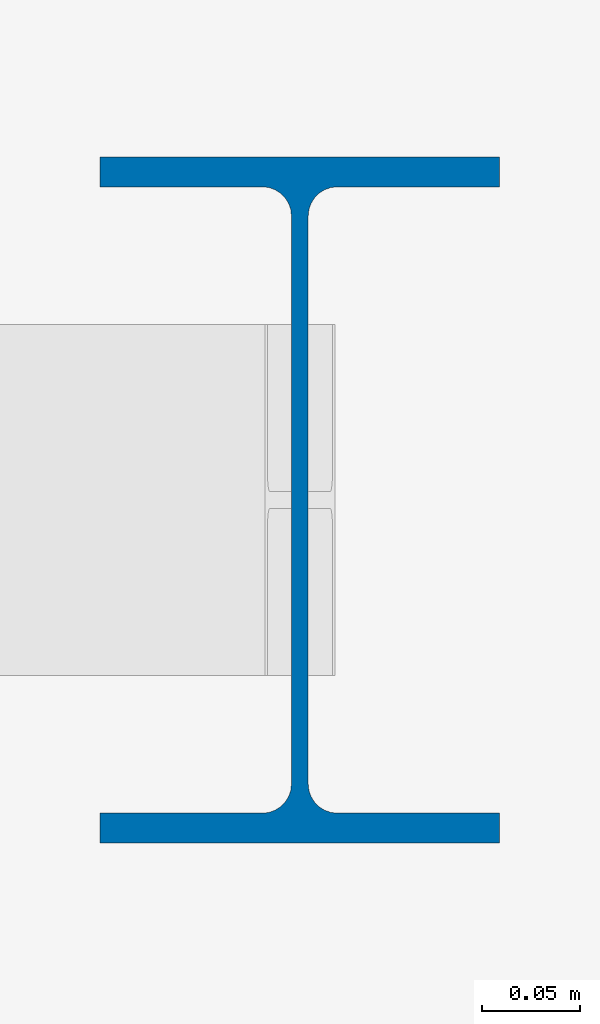
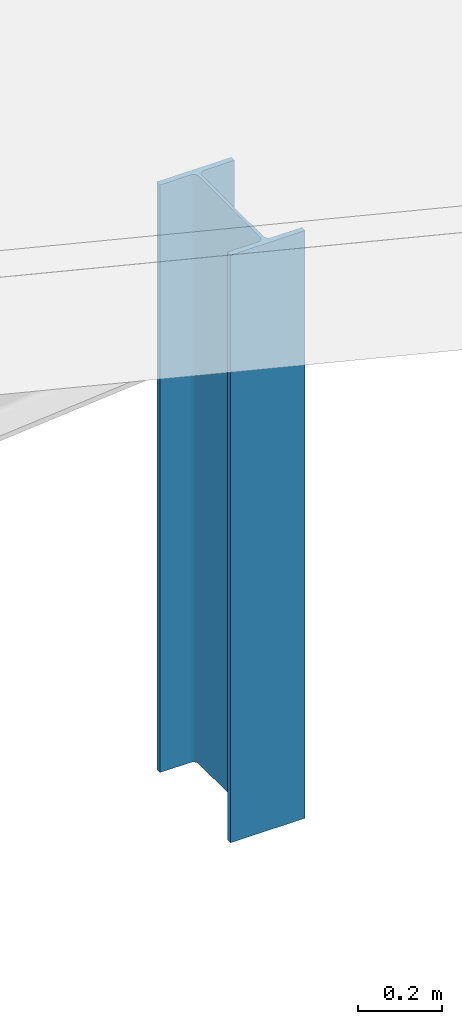
# One storey, part 4 of 18: 1 column.
"""IFC4 building model written with IfcOpenShell, lengths in metres."""

from ifc_helpers import new_model, si_unit, direction, frame, origin, origin_2d, place, context, subcontext, project, spatial, i_section, extrude, material, material_profile, profile_set, type_object, element, save


model = new_model("IFC4")

# Units and contexts
model_context = context("Model", 3, precision=1e-05, world=origin(), true_north=direction((0.0, 1.0)))
body_context = subcontext(model_context, "Body", "Model", "MODEL_VIEW")
ifc_project = project(units=[si_unit("LENGTHUNIT", "METRE"), si_unit("AREAUNIT", "SQUARE_METRE"), si_unit("VOLUMEUNIT", "CUBIC_METRE"), si_unit("PLANEANGLEUNIT", "RADIAN"), si_unit("MASSUNIT", "GRAM", prefix="KILO")], contexts=[model_context])

# Site, building, storey
site_placement = place(None, origin())
site = spatial("IfcSite", under=ifc_project, at=site_placement, CompositionType="ELEMENT")
building_placement = place(site_placement, origin())
building = spatial("IfcBuilding", under=site, at=building_placement, Name="Kalmorath City Hall", CompositionType="ELEMENT")
storey_placement = place(building_placement, frame((0.0, 0.0, 27.0)))
storey = spatial("IfcBuildingStorey", under=building, at=storey_placement, Name="L06", CompositionType="ELEMENT", Elevation=27.0)

# Column
ifc_material = material(Name="Steel ASTM A992 Grade 50", Category="steel")
ifc_material_profile = material_profile(ifc_material, i_section(OverallWidth=0.2041015625, OverallDepth=0.35009765625, WebThickness=0.008544921875, FlangeThickness=0.01513671875, FilletRadius=0.014892578125, at=origin_2d()), Name="W14X48")
ifc_profile_set = profile_set([ifc_material_profile], Name="Steel ASTM A992 Grade 50")
column_type = type_object("IfcColumnType", Name="Steel wide-flange column W14X48", PredefinedType="COLUMN", material=ifc_profile_set)
column_placement = place(storey_placement, frame((21.60009765625, 86.39990234375, 0.0), z_axis=(0.0, 0.0, 1.0), x_axis=(1.0, 0.0, 0.0)))
element("IfcColumn", 1, at=column_placement, inside=storey, type_object=column_type, Name="L06 roof ridge post SC6-4", PredefinedType="COLUMN", context=body_context, shape_type="SweptSolid", body=[
    extrude(i_section(OverallWidth=0.2041015625, OverallDepth=0.35009765625, WebThickness=0.008544921875, FlangeThickness=0.01513671875, FilletRadius=0.014892578125, at=origin_2d()), origin(), (0.0, 0.0, 1.0), 1.699951171875),
])

save(model, "model.ifc")
